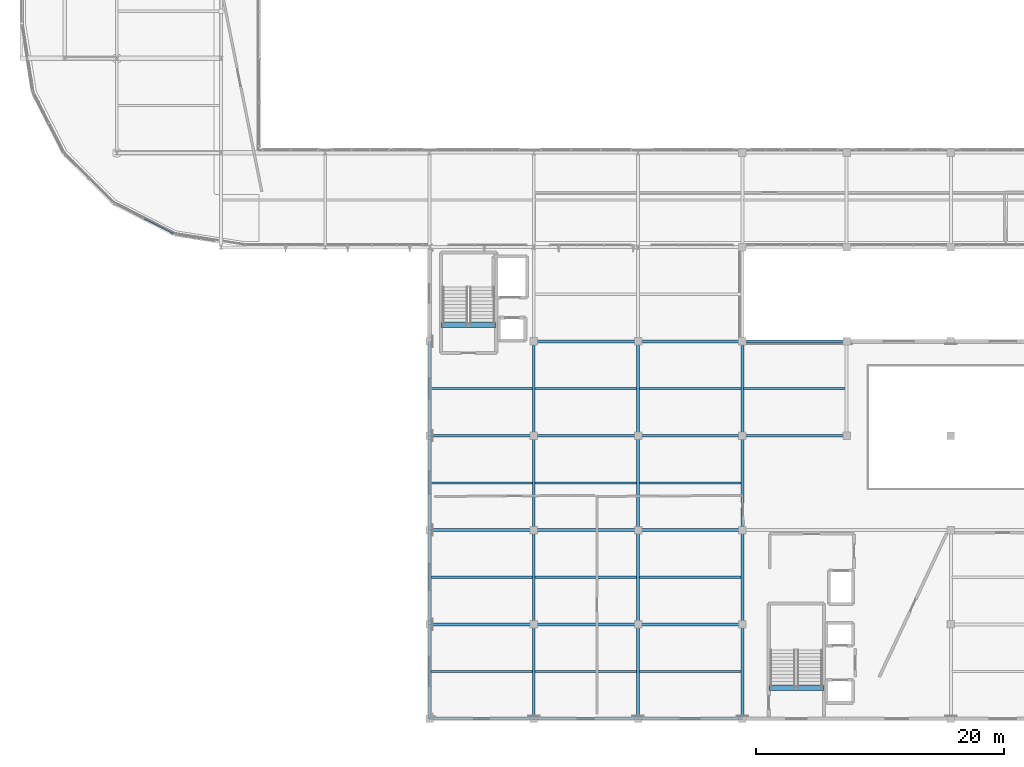
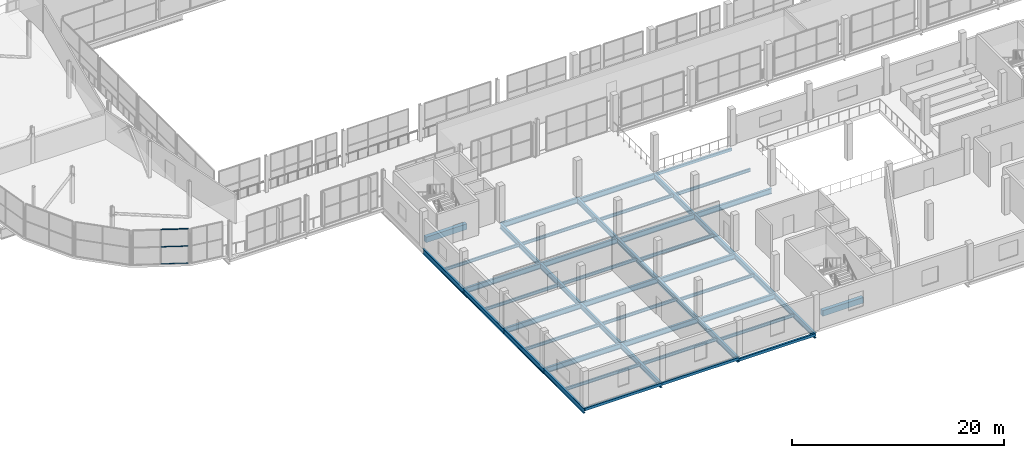
# One storey, part 13 of 151: 47 beams, 3 members, 1 element without a shape of its own.
"""IFC4 building model written with IfcOpenShell, lengths in metres."""

from ifc_helpers import new_model, si_unit, direction, frame, origin, origin_2d, place, context, subcontext, project, spatial, rectangle, hollow_rectangle, i_section, extrude, material, material_profile, profile_set, type_object, element, aggregate, save


model = new_model("IFC4")

# Units and contexts
model_context = context("Model", 3, precision=1e-05, world=origin(), true_north=direction((0.0, 1.0)))
body_context = subcontext(model_context, "Body", "Model", "MODEL_VIEW")
ifc_project = project(units=[si_unit("LENGTHUNIT", "METRE"), si_unit("AREAUNIT", "SQUARE_METRE"), si_unit("VOLUMEUNIT", "CUBIC_METRE"), si_unit("PLANEANGLEUNIT", "RADIAN"), si_unit("MASSUNIT", "GRAM", prefix="KILO")], contexts=[model_context])

# Site, building, storey
site_placement = place(None, origin())
site = spatial("IfcSite", under=ifc_project, at=site_placement, CompositionType="ELEMENT")
building_placement = place(site_placement, origin())
building = spatial("IfcBuilding", under=site, at=building_placement, Name="Zuvorla Pavilion Media Centre", CompositionType="ELEMENT")
storey_placement = place(building_placement, frame((0.0, 0.0, 13.800048828125)))
storey = spatial("IfcBuildingStorey", under=building, at=storey_placement, Name="L03", CompositionType="ELEMENT", Elevation=13.800048828125)

# Beams
ifc_material_1 = material(Name="Concrete C40/50", Category="concrete")
ifc_material_profile_1 = material_profile(ifc_material_1, rectangle(XDim=0.39990234375, YDim=0.64990234375, at=origin_2d()), Name="RC 400x650")
ifc_profile_set_1 = profile_set([ifc_material_profile_1], Name="Concrete C40/50")
beam_type_1 = type_object("IfcBeamType", Name="BM-RC-650", PredefinedType="BEAM", material=ifc_profile_set_1)
beam_1_placement = place(storey_placement, frame((68.929931640625, 8.469970703125, -0.323974609375), z_axis=(1.0, 0.0, 0.0), x_axis=(0.0, 1.0, 0.0)))
element("IfcBeam", 1, at=beam_1_placement, inside=storey, type_object=beam_type_1, Name="L03 ST-01 landing trimmer beam", PredefinedType="BEAM", context=body_context, shape_type="SweptSolid", body=[
    extrude(rectangle(XDim=0.39990234375, YDim=0.64990234375, at=origin_2d()), origin(), (0.0, 0.0, 1.0), 4.440185546875),
])
beam_2_placement = place(storey_placement, frame((42.530029296875, 37.719970703125, -0.323974609375), z_axis=(1.0, 0.0, 0.0), x_axis=(0.0, 1.0, 0.0)))
element("IfcBeam", 2, at=beam_2_placement, inside=storey, type_object=beam_type_1, Name="L03 ST-03 landing trimmer beam", PredefinedType="BEAM", context=body_context, shape_type="SweptSolid", body=[
    extrude(rectangle(XDim=0.39990234375, YDim=0.64990234375, at=origin_2d()), origin(), (0.0, 0.0, 1.0), 4.43994140625),
])
ifc_material_2 = material(Name="Steel S355", Category="steel")
ifc_material_profile_2 = material_profile(ifc_material_2, hollow_rectangle(XDim=0.199951171875, YDim=0.300048828125, WallThickness=0.012451171875, at=origin_2d()), Name="RHS 300x200x12.5")
ifc_profile_set_2 = profile_set([ifc_material_profile_2], Name="Steel S355")
beam_type_2 = type_object("IfcBeamType", Name="BM-SP-RHS300", PredefinedType="SPANDREL", material=ifc_profile_set_2)
for number, where, z_axis, x_axis, name in (
    (3, (41.60009765625, 6.0, -0.407958984375), (1.0, 0.0, 0.0), (0.0, 1.0, 0.0), "L03 spandrel SP01 1046"),
    (4, (50.0, 6.0, -0.407958984375), (1.0, 0.0, 0.0), (0.0, 1.0, 0.0), "L03 spandrel SP01 1047"),
):
    element("IfcBeam", number, at=place(storey_placement, frame(where, z_axis=z_axis, x_axis=x_axis)), inside=storey, type_object=beam_type_2, Name=name, PredefinedType="SPANDREL", context=body_context, shape_type="SweptSolid", body=[
        extrude(hollow_rectangle(XDim=0.199951171875, YDim=0.300048828125, WallThickness=0.012451171875, at=origin_2d()), origin(), (0.0, 0.0, 1.0), 8.39990234375),
    ])
beam_3_placement = place(storey_placement, frame((58.39990234375, 6.0, -0.578125), z_axis=(1.0, 0.0, 0.0), x_axis=(0.0, 1.0, 0.0)))
element("IfcBeam", 5, at=beam_3_placement, inside=storey, type_object=beam_type_2, Name="L03 spandrel SP01 1048", PredefinedType="SPANDREL", context=body_context, shape_type="SweptSolid", body=[
    extrude(hollow_rectangle(XDim=0.199951171875, YDim=0.300048828125, WallThickness=0.012451171875, at=origin_2d()), origin(), (0.0, 0.0, 1.0), 8.400146484375),
])
beam_4_placement = place(storey_placement, frame((66.800048828125, 36.39990234375, -0.578125), z_axis=(1.0, 0.0, 0.0), x_axis=(0.0, 1.0, 0.0)))
element("IfcBeam", 6, at=beam_4_placement, inside=storey, type_object=beam_type_2, Name="L03 spandrel SP01 1070", PredefinedType="SPANDREL", context=body_context, shape_type="SweptSolid", body=[
    extrude(hollow_rectangle(XDim=0.199951171875, YDim=0.300048828125, WallThickness=0.012451171875, at=origin_2d()), origin(), (0.0, 0.0, 1.0), 8.39990234375),
])
ifc_material_profile_3 = material_profile(ifc_material_2, i_section(OverallWidth=0.172119140625, OverallDepth=0.35791015625, WebThickness=0.008056640625, FlangeThickness=0.012939453125, FilletRadius=0.01025390625, at=origin_2d()), Name="UB 356x171x57")
ifc_profile_set_3 = profile_set([ifc_material_profile_3], Name="Steel S355")
beam_type_3 = type_object("IfcBeamType", Name="BM-UB356", PredefinedType="JOIST", material=ifc_profile_set_3)
for number, where, z_axis, x_axis, name in (
    (7, (41.70947265625, 9.800048828125, -0.43701171875), (1.0, 0.0, 0.0), (0.0, 1.0, 0.0), "L03 joist J03 1240"),
    (8, (41.70947265625, 17.39990234375, -0.43701171875), (1.0, 0.0, 0.0), (0.0, 1.0, 0.0), "L03 joist J03 1241"),
    (9, (41.70947265625, 25.0, -0.43701171875), (1.0, 0.0, 0.0), (0.0, 1.0, 0.0), "L03 joist J03 1242"),
    (10, (41.70947265625, 32.60009765625, -0.43701171875), (1.0, 0.0, 0.0), (0.0, 1.0, 0.0), "L03 joist J03 1243"),
    (11, (50.109619140625, 9.800048828125, -0.43701171875), (1.0, 0.0, 0.0), (0.0, 1.0, 0.0), "L03 joist J03 1246"),
    (12, (50.109619140625, 17.39990234375, -0.43701171875), (1.0, 0.0, 0.0), (0.0, 1.0, 0.0), "L03 joist J03 1247"),
    (13, (50.109619140625, 25.0, -0.43701171875), (1.0, 0.0, 0.0), (0.0, 1.0, 0.0), "L03 joist J03 1248"),
    (14, (50.109619140625, 32.60009765625, -0.43701171875), (1.0, 0.0, 0.0), (0.0, 1.0, 0.0), "L03 joist J03 1249"),
    (15, (58.509521484375, 9.800048828125, -0.60693359375), (1.0, 0.0, 0.0), (0.0, 1.0, 0.0), "L03 joist J03 1253"),
    (16, (58.509521484375, 17.39990234375, -0.60693359375), (1.0, 0.0, 0.0), (0.0, 1.0, 0.0), "L03 joist J03 1254"),
    (17, (58.509521484375, 25.0, -0.60693359375), (1.0, 0.0, 0.0), (0.0, 1.0, 0.0), "L03 joist J03 1255"),
    (18, (58.509521484375, 32.60009765625, -0.60693359375), (1.0, 0.0, 0.0), (0.0, 1.0, 0.0), "L03 joist J03 1256"),
):
    element("IfcBeam", number, at=place(storey_placement, frame(where, z_axis=z_axis, x_axis=x_axis)), inside=storey, type_object=beam_type_3, Name=name, PredefinedType="JOIST", context=body_context, shape_type="SweptSolid", body=[
        extrude(i_section(OverallWidth=0.172119140625, OverallDepth=0.35791015625, WebThickness=0.008056640625, FlangeThickness=0.012939453125, FilletRadius=0.01025390625, at=origin_2d()), origin(), (0.0, 0.0, 1.0), 8.180908203125),
    ])
beam_5_placement = place(storey_placement, frame((66.909423828125, 32.60009765625, -0.60693359375), z_axis=(1.0, 0.0, 0.0), x_axis=(0.0, 1.0, 0.0)))
element("IfcBeam", 19, at=beam_5_placement, inside=storey, type_object=beam_type_3, Name="L03 joist J03 1260", PredefinedType="JOIST", context=body_context, shape_type="SweptSolid", body=[
    extrude(i_section(OverallWidth=0.172119140625, OverallDepth=0.35791015625, WebThickness=0.008056640625, FlangeThickness=0.012939453125, FilletRadius=0.01025390625, at=origin_2d()), origin(), (0.0, 0.0, 1.0), 8.18115234375),
])
ifc_material_profile_4 = material_profile(ifc_material_2, i_section(OverallWidth=0.22900390625, OverallDepth=0.6123046875, WebThickness=0.011962890625, FlangeThickness=0.01953125, FilletRadius=0.0126953125, at=origin_2d()), Name="UB 610x229x125")
ifc_profile_set_4 = profile_set([ifc_material_profile_4], Name="Steel S355")
beam_type_4 = type_object("IfcBeamType", Name="BM-UB610", PredefinedType="BEAM", material=ifc_profile_set_4)
for number, where, z_axis, x_axis, name in (
    (20, (41.60009765625, 13.60009765625, -0.564208984375), (1.0, 0.0, 0.0), (0.0, 1.0, 0.0), "L03 beam B07 1051"),
    (21, (50.0, 13.60009765625, -0.564208984375), (1.0, 0.0, 0.0), (0.0, 1.0, 0.0), "L03 beam B07 1052"),
):
    element("IfcBeam", number, at=place(storey_placement, frame(where, z_axis=z_axis, x_axis=x_axis)), inside=storey, type_object=beam_type_4, Name=name, PredefinedType="BEAM", context=body_context, shape_type="SweptSolid", body=[
        extrude(i_section(OverallWidth=0.22900390625, OverallDepth=0.6123046875, WebThickness=0.011962890625, FlangeThickness=0.01953125, FilletRadius=0.0126953125, at=origin_2d()), origin(), (0.0, 0.0, 1.0), 8.39990234375),
    ])
beam_6_placement = place(storey_placement, frame((58.39990234375, 13.60009765625, -0.734130859375), z_axis=(1.0, 0.0, 0.0), x_axis=(0.0, 1.0, 0.0)))
element("IfcBeam", 22, at=beam_6_placement, inside=storey, type_object=beam_type_4, Name="L03 beam B07 1053", PredefinedType="BEAM", context=body_context, shape_type="SweptSolid", body=[
    extrude(i_section(OverallWidth=0.22900390625, OverallDepth=0.6123046875, WebThickness=0.011962890625, FlangeThickness=0.01953125, FilletRadius=0.0126953125, at=origin_2d()), origin(), (0.0, 0.0, 1.0), 8.400146484375),
])
for number, where, z_axis, x_axis, name in (
    (23, (41.60009765625, 21.199951171875, -0.564208984375), (1.0, 0.0, 0.0), (0.0, 1.0, 0.0), "L03 beam B07 1056"),
    (24, (50.0, 21.199951171875, -0.564208984375), (1.0, 0.0, 0.0), (0.0, 1.0, 0.0), "L03 beam B07 1057"),
):
    element("IfcBeam", number, at=place(storey_placement, frame(where, z_axis=z_axis, x_axis=x_axis)), inside=storey, type_object=beam_type_4, Name=name, PredefinedType="BEAM", context=body_context, shape_type="SweptSolid", body=[
        extrude(i_section(OverallWidth=0.22900390625, OverallDepth=0.6123046875, WebThickness=0.011962890625, FlangeThickness=0.01953125, FilletRadius=0.0126953125, at=origin_2d()), origin(), (0.0, 0.0, 1.0), 8.39990234375),
    ])
beam_7_placement = place(storey_placement, frame((58.39990234375, 21.199951171875, -0.734130859375), z_axis=(1.0, 0.0, 0.0), x_axis=(0.0, 1.0, 0.0)))
element("IfcBeam", 25, at=beam_7_placement, inside=storey, type_object=beam_type_4, Name="L03 beam B07 1058", PredefinedType="BEAM", context=body_context, shape_type="SweptSolid", body=[
    extrude(i_section(OverallWidth=0.22900390625, OverallDepth=0.6123046875, WebThickness=0.011962890625, FlangeThickness=0.01953125, FilletRadius=0.0126953125, at=origin_2d()), origin(), (0.0, 0.0, 1.0), 8.400146484375),
])
for number, where, z_axis, x_axis, name in (
    (26, (41.60009765625, 28.800048828125, -0.564208984375), (1.0, 0.0, 0.0), (0.0, 1.0, 0.0), "L03 beam B07 1063"),
    (27, (50.0, 28.800048828125, -0.564208984375), (1.0, 0.0, 0.0), (0.0, 1.0, 0.0), "L03 beam B07 1064"),
):
    element("IfcBeam", number, at=place(storey_placement, frame(where, z_axis=z_axis, x_axis=x_axis)), inside=storey, type_object=beam_type_4, Name=name, PredefinedType="BEAM", context=body_context, shape_type="SweptSolid", body=[
        extrude(i_section(OverallWidth=0.22900390625, OverallDepth=0.6123046875, WebThickness=0.011962890625, FlangeThickness=0.01953125, FilletRadius=0.0126953125, at=origin_2d()), origin(), (0.0, 0.0, 1.0), 8.39990234375),
    ])
beam_8_placement = place(storey_placement, frame((58.39990234375, 28.800048828125, -0.734130859375), z_axis=(1.0, 0.0, 0.0), x_axis=(0.0, 1.0, 0.0)))
element("IfcBeam", 28, at=beam_8_placement, inside=storey, type_object=beam_type_4, Name="L03 beam B07 1065", PredefinedType="BEAM", context=body_context, shape_type="SweptSolid", body=[
    extrude(i_section(OverallWidth=0.22900390625, OverallDepth=0.6123046875, WebThickness=0.011962890625, FlangeThickness=0.01953125, FilletRadius=0.0126953125, at=origin_2d()), origin(), (0.0, 0.0, 1.0), 8.400146484375),
])
for number, where, z_axis, x_axis, name in (
    (29, (66.800048828125, 28.800048828125, -0.734130859375), (1.0, 0.0, 0.0), (0.0, 1.0, 0.0), "L03 beam B07 1066"),
    (30, (50.0, 36.39990234375, -0.564208984375), (1.0, 0.0, 0.0), (0.0, 1.0, 0.0), "L03 beam B07 1068"),
):
    element("IfcBeam", number, at=place(storey_placement, frame(where, z_axis=z_axis, x_axis=x_axis)), inside=storey, type_object=beam_type_4, Name=name, PredefinedType="BEAM", context=body_context, shape_type="SweptSolid", body=[
        extrude(i_section(OverallWidth=0.22900390625, OverallDepth=0.6123046875, WebThickness=0.011962890625, FlangeThickness=0.01953125, FilletRadius=0.0126953125, at=origin_2d()), origin(), (0.0, 0.0, 1.0), 8.39990234375),
    ])
beam_9_placement = place(storey_placement, frame((58.39990234375, 36.39990234375, -0.734130859375), z_axis=(1.0, 0.0, 0.0), x_axis=(0.0, 1.0, 0.0)))
element("IfcBeam", 31, at=beam_9_placement, inside=storey, type_object=beam_type_4, Name="L03 beam B07 1069", PredefinedType="BEAM", context=body_context, shape_type="SweptSolid", body=[
    extrude(i_section(OverallWidth=0.22900390625, OverallDepth=0.6123046875, WebThickness=0.011962890625, FlangeThickness=0.01953125, FilletRadius=0.0126953125, at=origin_2d()), origin(), (0.0, 0.0, 1.0), 8.400146484375),
])
beam_10_placement = place(storey_placement, frame((41.60009765625, 6.0, -0.564208984375), z_axis=(0.0, 1.0, 0.0), x_axis=(-1.0, 0.0, 0.0)))
element("IfcBeam", 32, at=beam_10_placement, inside=storey, type_object=beam_type_4, Name="L03 beam B07 1159", PredefinedType="BEAM", context=body_context, shape_type="SweptSolid", body=[
    extrude(i_section(OverallWidth=0.22900390625, OverallDepth=0.6123046875, WebThickness=0.011962890625, FlangeThickness=0.01953125, FilletRadius=0.0126953125, at=origin_2d()), origin(), (0.0, 0.0, 1.0), 7.60009765625),
])
beam_11_placement = place(storey_placement, frame((41.60009765625, 13.60009765625, -0.564208984375), z_axis=(0.0, 1.0, 0.0), x_axis=(-1.0, 0.0, 0.0)))
element("IfcBeam", 33, at=beam_11_placement, inside=storey, type_object=beam_type_4, Name="L03 beam B07 1160", PredefinedType="BEAM", context=body_context, shape_type="SweptSolid", body=[
    extrude(i_section(OverallWidth=0.22900390625, OverallDepth=0.6123046875, WebThickness=0.011962890625, FlangeThickness=0.01953125, FilletRadius=0.0126953125, at=origin_2d()), origin(), (0.0, 0.0, 1.0), 7.599853515625),
])
beam_12_placement = place(storey_placement, frame((41.60009765625, 21.199951171875, -0.564208984375), z_axis=(0.0, 1.0, 0.0), x_axis=(-1.0, 0.0, 0.0)))
element("IfcBeam", 34, at=beam_12_placement, inside=storey, type_object=beam_type_4, Name="L03 beam B07 1161", PredefinedType="BEAM", context=body_context, shape_type="SweptSolid", body=[
    extrude(i_section(OverallWidth=0.22900390625, OverallDepth=0.6123046875, WebThickness=0.011962890625, FlangeThickness=0.01953125, FilletRadius=0.0126953125, at=origin_2d()), origin(), (0.0, 0.0, 1.0), 7.60009765625),
])
beam_13_placement = place(storey_placement, frame((41.60009765625, 28.800048828125, -0.564208984375), z_axis=(0.0, 1.0, 0.0), x_axis=(-1.0, 0.0, 0.0)))
element("IfcBeam", 35, at=beam_13_placement, inside=storey, type_object=beam_type_4, Name="L03 beam B07 1162", PredefinedType="BEAM", context=body_context, shape_type="SweptSolid", body=[
    extrude(i_section(OverallWidth=0.22900390625, OverallDepth=0.6123046875, WebThickness=0.011962890625, FlangeThickness=0.01953125, FilletRadius=0.0126953125, at=origin_2d()), origin(), (0.0, 0.0, 1.0), 7.599853515625),
])
beam_14_placement = place(storey_placement, frame((50.0, 6.0, -0.564208984375), z_axis=(0.0, 1.0, 0.0), x_axis=(-1.0, 0.0, 0.0)))
element("IfcBeam", 36, at=beam_14_placement, inside=storey, type_object=beam_type_4, Name="L03 beam B07 1166", PredefinedType="BEAM", context=body_context, shape_type="SweptSolid", body=[
    extrude(i_section(OverallWidth=0.22900390625, OverallDepth=0.6123046875, WebThickness=0.011962890625, FlangeThickness=0.01953125, FilletRadius=0.0126953125, at=origin_2d()), origin(), (0.0, 0.0, 1.0), 7.60009765625),
])
beam_15_placement = place(storey_placement, frame((50.0, 13.60009765625, -0.564208984375), z_axis=(0.0, 1.0, 0.0), x_axis=(-1.0, 0.0, 0.0)))
element("IfcBeam", 37, at=beam_15_placement, inside=storey, type_object=beam_type_4, Name="L03 beam B07 1167", PredefinedType="BEAM", context=body_context, shape_type="SweptSolid", body=[
    extrude(i_section(OverallWidth=0.22900390625, OverallDepth=0.6123046875, WebThickness=0.011962890625, FlangeThickness=0.01953125, FilletRadius=0.0126953125, at=origin_2d()), origin(), (0.0, 0.0, 1.0), 7.599853515625),
])
beam_16_placement = place(storey_placement, frame((50.0, 21.199951171875, -0.564208984375), z_axis=(0.0, 1.0, 0.0), x_axis=(-1.0, 0.0, 0.0)))
element("IfcBeam", 38, at=beam_16_placement, inside=storey, type_object=beam_type_4, Name="L03 beam B07 1168", PredefinedType="BEAM", context=body_context, shape_type="SweptSolid", body=[
    extrude(i_section(OverallWidth=0.22900390625, OverallDepth=0.6123046875, WebThickness=0.011962890625, FlangeThickness=0.01953125, FilletRadius=0.0126953125, at=origin_2d()), origin(), (0.0, 0.0, 1.0), 7.60009765625),
])
beam_17_placement = place(storey_placement, frame((50.0, 28.800048828125, -0.564208984375), z_axis=(0.0, 1.0, 0.0), x_axis=(-1.0, 0.0, 0.0)))
element("IfcBeam", 39, at=beam_17_placement, inside=storey, type_object=beam_type_4, Name="L03 beam B07 1169", PredefinedType="BEAM", context=body_context, shape_type="SweptSolid", body=[
    extrude(i_section(OverallWidth=0.22900390625, OverallDepth=0.6123046875, WebThickness=0.011962890625, FlangeThickness=0.01953125, FilletRadius=0.0126953125, at=origin_2d()), origin(), (0.0, 0.0, 1.0), 7.599853515625),
])
beam_18_placement = place(storey_placement, frame((58.39990234375, 6.0, -0.564208984375), z_axis=(0.0, 1.0, 0.0), x_axis=(-1.0, 0.0, 0.0)))
element("IfcBeam", 40, at=beam_18_placement, inside=storey, type_object=beam_type_4, Name="L03 beam B07 1173", PredefinedType="BEAM", context=body_context, shape_type="SweptSolid", body=[
    extrude(i_section(OverallWidth=0.22900390625, OverallDepth=0.6123046875, WebThickness=0.011962890625, FlangeThickness=0.01953125, FilletRadius=0.0126953125, at=origin_2d()), origin(), (0.0, 0.0, 1.0), 7.60009765625),
])
beam_19_placement = place(storey_placement, frame((58.39990234375, 13.60009765625, -0.564208984375), z_axis=(0.0, 1.0, 0.0), x_axis=(-1.0, 0.0, 0.0)))
element("IfcBeam", 41, at=beam_19_placement, inside=storey, type_object=beam_type_4, Name="L03 beam B07 1174", PredefinedType="BEAM", context=body_context, shape_type="SweptSolid", body=[
    extrude(i_section(OverallWidth=0.22900390625, OverallDepth=0.6123046875, WebThickness=0.011962890625, FlangeThickness=0.01953125, FilletRadius=0.0126953125, at=origin_2d()), origin(), (0.0, 0.0, 1.0), 7.599853515625),
])
beam_20_placement = place(storey_placement, frame((58.39990234375, 21.199951171875, -0.564208984375), z_axis=(0.0, 1.0, 0.0), x_axis=(-1.0, 0.0, 0.0)))
element("IfcBeam", 42, at=beam_20_placement, inside=storey, type_object=beam_type_4, Name="L03 beam B07 1175", PredefinedType="BEAM", context=body_context, shape_type="SweptSolid", body=[
    extrude(i_section(OverallWidth=0.22900390625, OverallDepth=0.6123046875, WebThickness=0.011962890625, FlangeThickness=0.01953125, FilletRadius=0.0126953125, at=origin_2d()), origin(), (0.0, 0.0, 1.0), 7.60009765625),
])
beam_21_placement = place(storey_placement, frame((58.39990234375, 28.800048828125, -0.564208984375), z_axis=(0.0, 1.0, 0.0), x_axis=(-1.0, 0.0, 0.0)))
element("IfcBeam", 43, at=beam_21_placement, inside=storey, type_object=beam_type_4, Name="L03 beam B07 1176", PredefinedType="BEAM", context=body_context, shape_type="SweptSolid", body=[
    extrude(i_section(OverallWidth=0.22900390625, OverallDepth=0.6123046875, WebThickness=0.011962890625, FlangeThickness=0.01953125, FilletRadius=0.0126953125, at=origin_2d()), origin(), (0.0, 0.0, 1.0), 7.599853515625),
])
beam_22_placement = place(storey_placement, frame((66.800048828125, 6.0, -0.734130859375), z_axis=(0.0, 1.0, 0.0), x_axis=(-1.0, 0.0, 0.0)))
element("IfcBeam", 44, at=beam_22_placement, inside=storey, type_object=beam_type_4, Name="L03 beam B07 1180", PredefinedType="BEAM", context=body_context, shape_type="SweptSolid", body=[
    extrude(i_section(OverallWidth=0.22900390625, OverallDepth=0.6123046875, WebThickness=0.011962890625, FlangeThickness=0.01953125, FilletRadius=0.0126953125, at=origin_2d()), origin(), (0.0, 0.0, 1.0), 7.60009765625),
])
beam_23_placement = place(storey_placement, frame((66.800048828125, 13.60009765625, -0.734130859375), z_axis=(0.0, 1.0, 0.0), x_axis=(-1.0, 0.0, 0.0)))
element("IfcBeam", 45, at=beam_23_placement, inside=storey, type_object=beam_type_4, Name="L03 beam B07 1181", PredefinedType="BEAM", context=body_context, shape_type="SweptSolid", body=[
    extrude(i_section(OverallWidth=0.22900390625, OverallDepth=0.6123046875, WebThickness=0.011962890625, FlangeThickness=0.01953125, FilletRadius=0.0126953125, at=origin_2d()), origin(), (0.0, 0.0, 1.0), 7.599853515625),
])
beam_24_placement = place(storey_placement, frame((66.800048828125, 21.199951171875, -0.734130859375), z_axis=(0.0, 1.0, 0.0), x_axis=(-1.0, 0.0, 0.0)))
element("IfcBeam", 46, at=beam_24_placement, inside=storey, type_object=beam_type_4, Name="L03 beam B07 1182", PredefinedType="BEAM", context=body_context, shape_type="SweptSolid", body=[
    extrude(i_section(OverallWidth=0.22900390625, OverallDepth=0.6123046875, WebThickness=0.011962890625, FlangeThickness=0.01953125, FilletRadius=0.0126953125, at=origin_2d()), origin(), (0.0, 0.0, 1.0), 7.60009765625),
])
beam_25_placement = place(storey_placement, frame((66.800048828125, 28.800048828125, -0.734130859375), z_axis=(0.0, 1.0, 0.0), x_axis=(-1.0, 0.0, 0.0)))
element("IfcBeam", 47, at=beam_25_placement, inside=storey, type_object=beam_type_4, Name="L03 beam B07 1183", PredefinedType="BEAM", context=body_context, shape_type="SweptSolid", body=[
    extrude(i_section(OverallWidth=0.22900390625, OverallDepth=0.6123046875, WebThickness=0.011962890625, FlangeThickness=0.01953125, FilletRadius=0.0126953125, at=origin_2d()), origin(), (0.0, 0.0, 1.0), 7.599853515625),
])

# Curtain wall, members
ifc_material_3 = material(Name="Unitised anodised aluminium and solar glass curtain wall", Category="aluminium")
curtain_wall_type = type_object("IfcCurtainWallType", Name="CW-SYS-02", PredefinedType="USERDEFINED", material=ifc_material_3)
curtain_wall_placement = place(storey_placement, origin())
curtain_wall = element("IfcCurtainWall", 48, at=curtain_wall_placement, inside=storey, type_object=curtain_wall_type, Name="L03 curtain wall CW02 130", ObjectType="CURTAIN WALL", PredefinedType="USERDEFINED")
ifc_material_4 = material(Name="Anodised aluminium 6063-T6", Category="aluminium")
ifc_material_profile_5 = material_profile(ifc_material_4, hollow_rectangle(XDim=0.10009765625, YDim=0.10009765625, WallThickness=0.00439453125, at=origin_2d()), Name="ALU TRAN 100x100")
ifc_profile_set_5 = profile_set([ifc_material_profile_5], Name="Anodised aluminium 6063-T6")
member_type = type_object("IfcMemberType", Name="CW-TRAN-100", PredefinedType="USERDEFINED", material=ifc_profile_set_5)
member_1_placement = place(storey_placement, frame((18.59228515625, 46.2841796875, 0.0), z_axis=(0.891000209717, -0.454002892375, 0.0), x_axis=(0.454002892375, 0.891000209717, 0.0)))
member_1 = element("IfcMember", 49, at=member_1_placement, type_object=member_type, Name="CW02 transom 2.1", ObjectType="TRANSOM", PredefinedType="USERDEFINED", context=body_context, shape_type="SweptSolid", body=[
    extrude(hollow_rectangle(XDim=0.10009765625, YDim=0.10009765625, WallThickness=0.00439453125, at=origin_2d()), origin(), (0.0, 0.0, 1.0), 2.656005859375),
])
member_2_placement = place(storey_placement, frame((18.59228515625, 46.2841796875, 1.97998046875), z_axis=(0.891000209717, -0.454002892375, 0.0), x_axis=(0.454002892375, 0.891000209717, 0.0)))
member_2 = element("IfcMember", 50, at=member_2_placement, type_object=member_type, Name="CW02 transom 2.2", ObjectType="TRANSOM", PredefinedType="USERDEFINED", context=body_context, shape_type="SweptSolid", body=[
    extrude(hollow_rectangle(XDim=0.10009765625, YDim=0.10009765625, WallThickness=0.00439453125, at=origin_2d()), origin(), (0.0, 0.0, 1.0), 2.656005859375),
])
member_3_placement = place(storey_placement, frame((18.59228515625, 46.2841796875, 3.9599609375), z_axis=(0.891000209717, -0.454002892375, 0.0), x_axis=(0.454002892375, 0.891000209717, 0.0)))
member_3 = element("IfcMember", 51, at=member_3_placement, type_object=member_type, Name="CW02 transom 2.3", ObjectType="TRANSOM", PredefinedType="USERDEFINED", context=body_context, shape_type="SweptSolid", body=[
    extrude(hollow_rectangle(XDim=0.10009765625, YDim=0.10009765625, WallThickness=0.00439453125, at=origin_2d()), origin(), (0.0, 0.0, 1.0), 2.656005859375),
])
aggregate(curtain_wall, [member_1, member_2, member_3])

save(model, "model.ifc")
